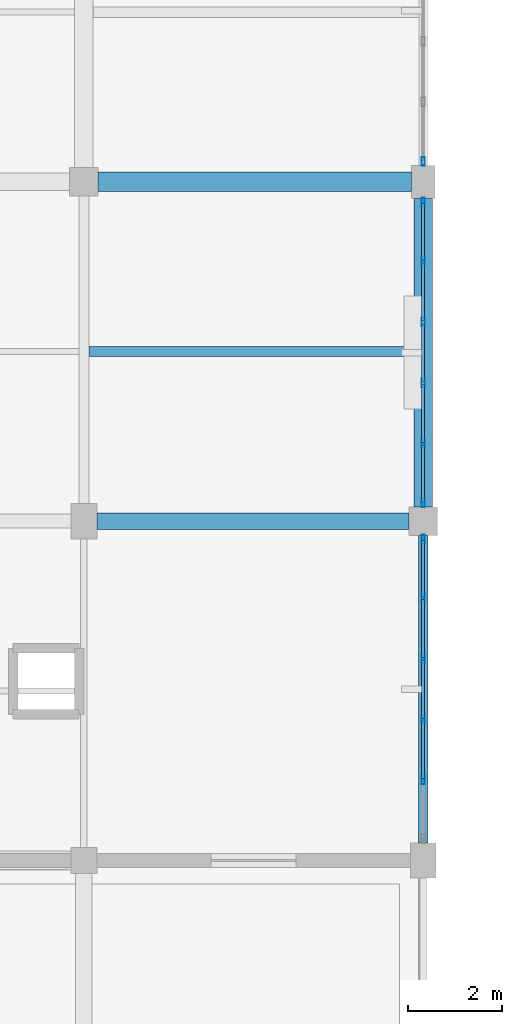
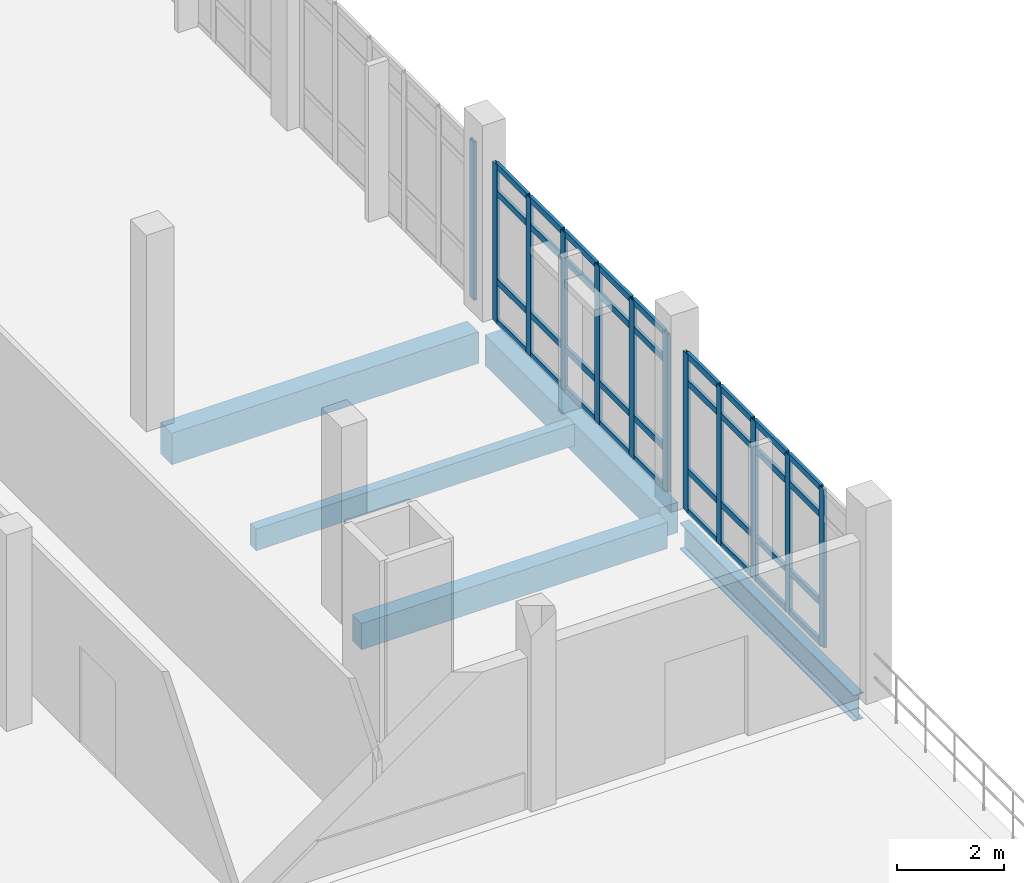
# One storey, part 8 of 57: 48 members, 5 beams, 3 elements without a shape of their own.
"""IFC4 building model written with IfcOpenShell, lengths in metres."""

from ifc_helpers import new_model, si_unit, direction, frame, origin, origin_2d, place, context, subcontext, project, spatial, rectangle, hollow_rectangle, i_section, extrude, material, material_profile, profile_set, type_object, element, aggregate, save


model = new_model("IFC4")

# Units and contexts
model_context = context("Model", 3, precision=1e-05, world=origin(), true_north=direction((0.0, 1.0)))
body_context = subcontext(model_context, "Body", "Model", "MODEL_VIEW")
ifc_project = project(units=[si_unit("LENGTHUNIT", "METRE"), si_unit("AREAUNIT", "SQUARE_METRE"), si_unit("VOLUMEUNIT", "CUBIC_METRE"), si_unit("PLANEANGLEUNIT", "RADIAN"), si_unit("MASSUNIT", "GRAM", prefix="KILO")], contexts=[model_context])

# Site, building, storey
site_placement = place(None, origin())
site = spatial("IfcSite", under=ifc_project, at=site_placement, CompositionType="ELEMENT")
building_placement = place(site_placement, origin())
building = spatial("IfcBuilding", under=site, at=building_placement, Name="Kalluvel Institute of Natural Sciences", CompositionType="ELEMENT")
storey_placement = place(building_placement, frame((0.0, 0.0, 23.39990234375)))
storey = spatial("IfcBuildingStorey", under=building, at=storey_placement, Name="L05", CompositionType="ELEMENT", Elevation=23.39990234375)

# Beams
ifc_material_1 = material(Name="Steel E350 Grade 350", Category="steel")
ifc_material_profile_1 = material_profile(ifc_material_1, i_section(OverallWidth=0.2099609375, OverallDepth=0.60009765625, WebThickness=0.011962890625, FlangeThickness=0.020751953125, FilletRadius=0.02001953125, at=origin_2d()), Name="ISMB 600")
ifc_profile_set_1 = profile_set([ifc_material_profile_1], Name="Steel E350 Grade 350")
beam_type_1 = type_object("IfcBeamType", Name="BM-ISMB600", PredefinedType="BEAM", material=ifc_profile_set_1)
beam_1_placement = place(storey_placement, frame((35.60009765625, 28.77490234375, -0.599853515625), z_axis=(0.0, 1.0, 0.0), x_axis=(-1.0, 0.0, 0.0)))
element("IfcBeam", 1, at=beam_1_placement, inside=storey, type_object=beam_type_1, Name="L05 girder GIR-L05-NS-X356-Y284", PredefinedType="BEAM", context=body_context, shape_type="SweptSolid", body=[
    extrude(i_section(OverallWidth=0.2099609375, OverallDepth=0.60009765625, WebThickness=0.011962890625, FlangeThickness=0.020751953125, FilletRadius=0.02001953125, at=origin_2d()), origin(), (0.0, 0.0, 1.0), 6.525146484375),
])
ifc_material_2 = material(Name="Concrete M40", Category="concrete")
ifc_material_profile_2 = material_profile(ifc_material_2, rectangle(XDim=0.39990234375, YDim=0.699951171875, at=origin_2d()), Name="RCB 400x700")
ifc_profile_set_2 = profile_set([ifc_material_profile_2], Name="Concrete M40")
beam_type_2 = type_object("IfcBeamType", Name="BM-RC400x700", PredefinedType="BEAM", material=ifc_profile_set_2)
beam_2_placement = place(storey_placement, frame((35.60009765625, 35.89990234375, -0.64990234375), z_axis=(0.0, 1.0, 0.0), x_axis=(-1.0, 0.0, 0.0)))
element("IfcBeam", 2, at=beam_2_placement, inside=storey, type_object=beam_type_2, Name="L05 girder GIR-L05-NS-X356-Y356", PredefinedType="BEAM", context=body_context, shape_type="SweptSolid", body=[
    extrude(rectangle(XDim=0.39990234375, YDim=0.699951171875, at=origin_2d()), origin(), (0.0, 0.0, 1.0), 6.550048828125),
])
ifc_material_profile_3 = material_profile(ifc_material_2, rectangle(XDim=0.419921875, YDim=0.719970703125, at=origin_2d()), Name="RCB 420x720")
ifc_profile_set_3 = profile_set([ifc_material_profile_3], Name="Concrete M40")
beam_type_3 = type_object("IfcBeamType", Name="BM-RC420x720", PredefinedType="BEAM", material=ifc_profile_set_3)
beam_3_placement = place(storey_placement, frame((28.699951171875, 42.800048828125, -0.659912109375), z_axis=(1.0, 0.0, 0.0), x_axis=(0.0, 1.0, 0.0)))
element("IfcBeam", 3, at=beam_3_placement, inside=storey, type_object=beam_type_3, Name="L05 girder GIR-L05-EW-X284-Y428", PredefinedType="BEAM", context=body_context, shape_type="SweptSolid", body=[
    extrude(rectangle(XDim=0.419921875, YDim=0.719970703125, at=origin_2d()), origin(), (0.0, 0.0, 1.0), 6.650146484375),
])

# Curtain wall, members
ifc_material_3 = material(Name="Aluminium AW-6063 T6", Category="aluminium")
curtain_wall_type = type_object("IfcCurtainWallType", Name="CW-DRY-45", PredefinedType="USERDEFINED", material=ifc_material_3)
curtain_wall_1_placement = place(storey_placement, origin())
curtain_wall_1 = element("IfcCurtainWall", 4, at=curtain_wall_1_placement, inside=storey, type_object=curtain_wall_type, Name="L05 Gothic lancet curtain wall CWA-L05-X356-Y288", ObjectType="UNITISED LANCET FACADE", PredefinedType="USERDEFINED")
ifc_material_profile_4 = material_profile(ifc_material_3, hollow_rectangle(XDim=0.06494140625, YDim=0.179931640625, WallThickness=0.00439453125, at=origin_2d()), Name="CWM 65x180")
ifc_profile_set_4 = profile_set([ifc_material_profile_4], Name="Aluminium AW-6063 T6")
member_type_1 = type_object("IfcMemberType", Name="CWM-65x180", PredefinedType="MULLION", material=ifc_profile_set_4)
member_1_placement = place(storey_placement, frame((35.60009765625, 30.110107421875, 0.0), z_axis=(0.0, 0.0, 1.0), x_axis=(-1.0, 0.0, 0.0)))
member_1 = element("IfcMember", 5, at=member_1_placement, type_object=member_type_1, Name="CW-03 mullion 2", PredefinedType="MULLION", context=body_context, shape_type="SweptSolid", body=[
    extrude(hollow_rectangle(XDim=0.06494140625, YDim=0.179931640625, WallThickness=0.00439453125, at=origin_2d()), origin(), (0.0, 0.0, 1.0), 3.6201171875),
])
member_2_placement = place(storey_placement, frame((35.60009765625, 31.39501953125, 0.0), z_axis=(0.0, 0.0, 1.0), x_axis=(-1.0, 0.0, 0.0)))
member_2 = element("IfcMember", 6, at=member_2_placement, type_object=member_type_1, Name="CW-03 mullion 3", PredefinedType="MULLION", context=body_context, shape_type="SweptSolid", body=[
    extrude(hollow_rectangle(XDim=0.06494140625, YDim=0.179931640625, WallThickness=0.00439453125, at=origin_2d()), origin(), (0.0, 0.0, 1.0), 3.6201171875),
])
member_3_placement = place(storey_placement, frame((35.60009765625, 32.679931640625, 0.0), z_axis=(0.0, 0.0, 1.0), x_axis=(-1.0, 0.0, 0.0)))
member_3 = element("IfcMember", 7, at=member_3_placement, type_object=member_type_1, Name="CW-03 mullion 4", PredefinedType="MULLION", context=body_context, shape_type="SweptSolid", body=[
    extrude(hollow_rectangle(XDim=0.06494140625, YDim=0.179931640625, WallThickness=0.00439453125, at=origin_2d()), origin(), (0.0, 0.0, 1.0), 3.6201171875),
])
member_4_placement = place(storey_placement, frame((35.60009765625, 33.965087890625, 0.0), z_axis=(0.0, 0.0, 1.0), x_axis=(-1.0, 0.0, 0.0)))
member_4 = element("IfcMember", 8, at=member_4_placement, type_object=member_type_1, Name="CW-03 mullion 5", PredefinedType="MULLION", context=body_context, shape_type="SweptSolid", body=[
    extrude(hollow_rectangle(XDim=0.06494140625, YDim=0.179931640625, WallThickness=0.00439453125, at=origin_2d()), origin(), (0.0, 0.0, 1.0), 3.6201171875),
])
member_5_placement = place(storey_placement, frame((35.60009765625, 35.217529296875, 0.0), z_axis=(0.0, 0.0, 1.0), x_axis=(-1.0, 0.0, 0.0)))
member_5 = element("IfcMember", 9, at=member_5_placement, type_object=member_type_1, Name="CW-03 mullion 6", PredefinedType="MULLION", context=body_context, shape_type="SweptSolid", body=[
    extrude(hollow_rectangle(XDim=0.06494140625, YDim=0.179931640625, WallThickness=0.00439453125, at=origin_2d()), origin(), (0.0, 0.0, 1.0), 3.6201171875),
])

curtain_wall_2_placement = place(storey_placement, origin())
curtain_wall_2 = element("IfcCurtainWall", 10, at=curtain_wall_2_placement, inside=storey, type_object=curtain_wall_type, Name="L05 Gothic lancet curtain wall CWA-L05-X356-Y360", ObjectType="UNITISED LANCET FACADE", PredefinedType="USERDEFINED")
member_6_placement = place(storey_placement, frame((35.60009765625, 35.982421875, 0.0), z_axis=(0.0, 0.0, 1.0), x_axis=(-1.0, 0.0, 0.0)))
member_6 = element("IfcMember", 11, at=member_6_placement, type_object=member_type_1, Name="CW-03 mullion 1", PredefinedType="MULLION", context=body_context, shape_type="SweptSolid", body=[
    extrude(hollow_rectangle(XDim=0.06494140625, YDim=0.179931640625, WallThickness=0.00439453125, at=origin_2d()), origin(), (0.0, 0.0, 1.0), 3.6201171875),
])
member_7_placement = place(storey_placement, frame((35.60009765625, 37.239990234375, 0.0), z_axis=(0.0, 0.0, 1.0), x_axis=(-1.0, 0.0, 0.0)))
member_7 = element("IfcMember", 12, at=member_7_placement, type_object=member_type_1, Name="CW-03 mullion 2", PredefinedType="MULLION", context=body_context, shape_type="SweptSolid", body=[
    extrude(hollow_rectangle(XDim=0.06494140625, YDim=0.179931640625, WallThickness=0.00439453125, at=origin_2d()), origin(), (0.0, 0.0, 1.0), 3.6201171875),
])
member_8_placement = place(storey_placement, frame((35.60009765625, 38.530029296875, 0.0), z_axis=(0.0, 0.0, 1.0), x_axis=(-1.0, 0.0, 0.0)))
member_8 = element("IfcMember", 13, at=member_8_placement, type_object=member_type_1, Name="CW-03 mullion 3", PredefinedType="MULLION", context=body_context, shape_type="SweptSolid", body=[
    extrude(hollow_rectangle(XDim=0.06494140625, YDim=0.179931640625, WallThickness=0.00439453125, at=origin_2d()), origin(), (0.0, 0.0, 1.0), 3.6201171875),
])
member_9_placement = place(storey_placement, frame((35.60009765625, 39.820068359375, 0.0), z_axis=(0.0, 0.0, 1.0), x_axis=(-1.0, 0.0, 0.0)))
member_9 = element("IfcMember", 14, at=member_9_placement, type_object=member_type_1, Name="CW-03 mullion 4", PredefinedType="MULLION", context=body_context, shape_type="SweptSolid", body=[
    extrude(hollow_rectangle(XDim=0.06494140625, YDim=0.179931640625, WallThickness=0.00439453125, at=origin_2d()), origin(), (0.0, 0.0, 1.0), 3.6201171875),
])
member_10_placement = place(storey_placement, frame((35.60009765625, 41.110107421875, 0.0), z_axis=(0.0, 0.0, 1.0), x_axis=(-1.0, 0.0, 0.0)))
member_10 = element("IfcMember", 15, at=member_10_placement, type_object=member_type_1, Name="CW-03 mullion 5", PredefinedType="MULLION", context=body_context, shape_type="SweptSolid", body=[
    extrude(hollow_rectangle(XDim=0.06494140625, YDim=0.179931640625, WallThickness=0.00439453125, at=origin_2d()), origin(), (0.0, 0.0, 1.0), 3.6201171875),
])
member_11_placement = place(storey_placement, frame((35.60009765625, 42.367431640625, 0.0), z_axis=(0.0, 0.0, 1.0), x_axis=(-1.0, 0.0, 0.0)))
member_11 = element("IfcMember", 16, at=member_11_placement, type_object=member_type_1, Name="CW-03 mullion 6", PredefinedType="MULLION", context=body_context, shape_type="SweptSolid", body=[
    extrude(hollow_rectangle(XDim=0.06494140625, YDim=0.179931640625, WallThickness=0.00439453125, at=origin_2d()), origin(), (0.0, 0.0, 1.0), 3.6201171875),
])

# Curtain wall, member
curtain_wall_3_placement = place(storey_placement, origin())
curtain_wall_3 = element("IfcCurtainWall", 17, at=curtain_wall_3_placement, inside=storey, type_object=curtain_wall_type, Name="L05 Gothic lancet curtain wall CWA-L05-X356-Y432", ObjectType="UNITISED LANCET FACADE", PredefinedType="USERDEFINED")
member_12_placement = place(storey_placement, frame((35.60009765625, 43.232421875, 0.0), z_axis=(0.0, 0.0, 1.0), x_axis=(-1.0, 0.0, 0.0)))
member_12 = element("IfcMember", 18, at=member_12_placement, type_object=member_type_1, Name="CW-03 mullion 1", PredefinedType="MULLION", context=body_context, shape_type="SweptSolid", body=[
    extrude(hollow_rectangle(XDim=0.06494140625, YDim=0.179931640625, WallThickness=0.00439453125, at=origin_2d()), origin(), (0.0, 0.0, 1.0), 3.6201171875),
])
aggregate(curtain_wall_3, [member_12])

# Member
ifc_material_profile_5 = material_profile(ifc_material_3, hollow_rectangle(XDim=0.06494140625, YDim=0.139892578125, WallThickness=0.00439453125, at=origin_2d()), Name="CWT 65x140")
ifc_profile_set_5 = profile_set([ifc_material_profile_5], Name="Aluminium AW-6063 T6")
member_type_2 = type_object("IfcMemberType", Name="CWT-65x140", PredefinedType="USERDEFINED", material=ifc_profile_set_5)
member_13_placement = place(storey_placement, frame((35.60009765625, 30.142578125, 0.03271484375), z_axis=(0.0, 1.0, 0.0), x_axis=(-1.0, 0.0, 0.0)))
member_13 = element("IfcMember", 19, at=member_13_placement, type_object=member_type_2, Name="CW-03 transom 2.1", ObjectType="TRANSOM", PredefinedType="USERDEFINED", context=body_context, shape_type="SweptSolid", body=[
    extrude(hollow_rectangle(XDim=0.06494140625, YDim=0.139892578125, WallThickness=0.00439453125, at=origin_2d()), origin(), (0.0, 0.0, 1.0), 1.219970703125),
])

member_14_placement = place(storey_placement, frame((35.60009765625, 30.142578125, 0.9501953125), z_axis=(0.0, 1.0, 0.0), x_axis=(-1.0, 0.0, 0.0)))
member_14 = element("IfcMember", 20, at=member_14_placement, type_object=member_type_2, Name="CW-03 transom 2.2", ObjectType="TRANSOM", PredefinedType="USERDEFINED", context=body_context, shape_type="SweptSolid", body=[
    extrude(hollow_rectangle(XDim=0.06494140625, YDim=0.139892578125, WallThickness=0.00439453125, at=origin_2d()), origin(), (0.0, 0.0, 1.0), 1.219970703125),
])

member_15_placement = place(storey_placement, frame((35.60009765625, 30.142578125, 2.97021484375), z_axis=(0.0, 1.0, 0.0), x_axis=(-1.0, 0.0, 0.0)))
member_15 = element("IfcMember", 21, at=member_15_placement, type_object=member_type_2, Name="CW-03 transom 2.3", ObjectType="TRANSOM", PredefinedType="USERDEFINED", context=body_context, shape_type="SweptSolid", body=[
    extrude(hollow_rectangle(XDim=0.06494140625, YDim=0.139892578125, WallThickness=0.00439453125, at=origin_2d()), origin(), (0.0, 0.0, 1.0), 1.219970703125),
])

member_16_placement = place(storey_placement, frame((35.60009765625, 30.142578125, 3.587646484375), z_axis=(0.0, 1.0, 0.0), x_axis=(-1.0, 0.0, 0.0)))
member_16 = element("IfcMember", 22, at=member_16_placement, type_object=member_type_2, Name="CW-03 transom 2.4", ObjectType="TRANSOM", PredefinedType="USERDEFINED", context=body_context, shape_type="SweptSolid", body=[
    extrude(hollow_rectangle(XDim=0.06494140625, YDim=0.139892578125, WallThickness=0.00439453125, at=origin_2d()), origin(), (0.0, 0.0, 1.0), 1.219970703125),
])

member_17_placement = place(storey_placement, frame((35.60009765625, 31.427490234375, 0.03271484375), z_axis=(0.0, 1.0, 0.0), x_axis=(-1.0, 0.0, 0.0)))
member_17 = element("IfcMember", 23, at=member_17_placement, type_object=member_type_2, Name="CW-03 transom 3.1", ObjectType="TRANSOM", PredefinedType="USERDEFINED", context=body_context, shape_type="SweptSolid", body=[
    extrude(hollow_rectangle(XDim=0.06494140625, YDim=0.139892578125, WallThickness=0.00439453125, at=origin_2d()), origin(), (0.0, 0.0, 1.0), 1.219970703125),
])

member_18_placement = place(storey_placement, frame((35.60009765625, 31.427490234375, 0.9501953125), z_axis=(0.0, 1.0, 0.0), x_axis=(-1.0, 0.0, 0.0)))
member_18 = element("IfcMember", 24, at=member_18_placement, type_object=member_type_2, Name="CW-03 transom 3.2", ObjectType="TRANSOM", PredefinedType="USERDEFINED", context=body_context, shape_type="SweptSolid", body=[
    extrude(hollow_rectangle(XDim=0.06494140625, YDim=0.139892578125, WallThickness=0.00439453125, at=origin_2d()), origin(), (0.0, 0.0, 1.0), 1.219970703125),
])

member_19_placement = place(storey_placement, frame((35.60009765625, 31.427490234375, 2.97021484375), z_axis=(0.0, 1.0, 0.0), x_axis=(-1.0, 0.0, 0.0)))
member_19 = element("IfcMember", 25, at=member_19_placement, type_object=member_type_2, Name="CW-03 transom 3.3", ObjectType="TRANSOM", PredefinedType="USERDEFINED", context=body_context, shape_type="SweptSolid", body=[
    extrude(hollow_rectangle(XDim=0.06494140625, YDim=0.139892578125, WallThickness=0.00439453125, at=origin_2d()), origin(), (0.0, 0.0, 1.0), 1.219970703125),
])

member_20_placement = place(storey_placement, frame((35.60009765625, 31.427490234375, 3.587646484375), z_axis=(0.0, 1.0, 0.0), x_axis=(-1.0, 0.0, 0.0)))
member_20 = element("IfcMember", 26, at=member_20_placement, type_object=member_type_2, Name="CW-03 transom 3.4", ObjectType="TRANSOM", PredefinedType="USERDEFINED", context=body_context, shape_type="SweptSolid", body=[
    extrude(hollow_rectangle(XDim=0.06494140625, YDim=0.139892578125, WallThickness=0.00439453125, at=origin_2d()), origin(), (0.0, 0.0, 1.0), 1.219970703125),
])

member_21_placement = place(storey_placement, frame((35.60009765625, 32.71240234375, 0.03271484375), z_axis=(0.0, 1.0, 0.0), x_axis=(-1.0, 0.0, 0.0)))
member_21 = element("IfcMember", 27, at=member_21_placement, type_object=member_type_2, Name="CW-03 transom 4.1", ObjectType="TRANSOM", PredefinedType="USERDEFINED", context=body_context, shape_type="SweptSolid", body=[
    extrude(hollow_rectangle(XDim=0.06494140625, YDim=0.139892578125, WallThickness=0.00439453125, at=origin_2d()), origin(), (0.0, 0.0, 1.0), 1.22021484375),
])

member_22_placement = place(storey_placement, frame((35.60009765625, 32.71240234375, 0.9501953125), z_axis=(0.0, 1.0, 0.0), x_axis=(-1.0, 0.0, 0.0)))
member_22 = element("IfcMember", 28, at=member_22_placement, type_object=member_type_2, Name="CW-03 transom 4.2", ObjectType="TRANSOM", PredefinedType="USERDEFINED", context=body_context, shape_type="SweptSolid", body=[
    extrude(hollow_rectangle(XDim=0.06494140625, YDim=0.139892578125, WallThickness=0.00439453125, at=origin_2d()), origin(), (0.0, 0.0, 1.0), 1.22021484375),
])

member_23_placement = place(storey_placement, frame((35.60009765625, 32.71240234375, 2.97021484375), z_axis=(0.0, 1.0, 0.0), x_axis=(-1.0, 0.0, 0.0)))
member_23 = element("IfcMember", 29, at=member_23_placement, type_object=member_type_2, Name="CW-03 transom 4.3", ObjectType="TRANSOM", PredefinedType="USERDEFINED", context=body_context, shape_type="SweptSolid", body=[
    extrude(hollow_rectangle(XDim=0.06494140625, YDim=0.139892578125, WallThickness=0.00439453125, at=origin_2d()), origin(), (0.0, 0.0, 1.0), 1.22021484375),
])

member_24_placement = place(storey_placement, frame((35.60009765625, 32.71240234375, 3.587646484375), z_axis=(0.0, 1.0, 0.0), x_axis=(-1.0, 0.0, 0.0)))
member_24 = element("IfcMember", 30, at=member_24_placement, type_object=member_type_2, Name="CW-03 transom 4.4", ObjectType="TRANSOM", PredefinedType="USERDEFINED", context=body_context, shape_type="SweptSolid", body=[
    extrude(hollow_rectangle(XDim=0.06494140625, YDim=0.139892578125, WallThickness=0.00439453125, at=origin_2d()), origin(), (0.0, 0.0, 1.0), 1.22021484375),
])

member_25_placement = place(storey_placement, frame((35.60009765625, 33.99755859375, 0.03271484375), z_axis=(0.0, 1.0, 0.0), x_axis=(-1.0, 0.0, 0.0)))
member_25 = element("IfcMember", 31, at=member_25_placement, type_object=member_type_2, Name="CW-03 transom 5.1", ObjectType="TRANSOM", PredefinedType="USERDEFINED", context=body_context, shape_type="SweptSolid", body=[
    extrude(hollow_rectangle(XDim=0.06494140625, YDim=0.139892578125, WallThickness=0.00439453125, at=origin_2d()), origin(), (0.0, 0.0, 1.0), 1.1875),
])

member_26_placement = place(storey_placement, frame((35.60009765625, 33.99755859375, 0.9501953125), z_axis=(0.0, 1.0, 0.0), x_axis=(-1.0, 0.0, 0.0)))
member_26 = element("IfcMember", 32, at=member_26_placement, type_object=member_type_2, Name="CW-03 transom 5.2", ObjectType="TRANSOM", PredefinedType="USERDEFINED", context=body_context, shape_type="SweptSolid", body=[
    extrude(hollow_rectangle(XDim=0.06494140625, YDim=0.139892578125, WallThickness=0.00439453125, at=origin_2d()), origin(), (0.0, 0.0, 1.0), 1.1875),
])

member_27_placement = place(storey_placement, frame((35.60009765625, 33.99755859375, 2.97021484375), z_axis=(0.0, 1.0, 0.0), x_axis=(-1.0, 0.0, 0.0)))
member_27 = element("IfcMember", 33, at=member_27_placement, type_object=member_type_2, Name="CW-03 transom 5.3", ObjectType="TRANSOM", PredefinedType="USERDEFINED", context=body_context, shape_type="SweptSolid", body=[
    extrude(hollow_rectangle(XDim=0.06494140625, YDim=0.139892578125, WallThickness=0.00439453125, at=origin_2d()), origin(), (0.0, 0.0, 1.0), 1.1875),
])

member_28_placement = place(storey_placement, frame((35.60009765625, 33.99755859375, 3.587646484375), z_axis=(0.0, 1.0, 0.0), x_axis=(-1.0, 0.0, 0.0)))
member_28 = element("IfcMember", 34, at=member_28_placement, type_object=member_type_2, Name="CW-03 transom 5.4", ObjectType="TRANSOM", PredefinedType="USERDEFINED", context=body_context, shape_type="SweptSolid", body=[
    extrude(hollow_rectangle(XDim=0.06494140625, YDim=0.139892578125, WallThickness=0.00439453125, at=origin_2d()), origin(), (0.0, 0.0, 1.0), 1.1875),
])

aggregate(curtain_wall_1, [member_1, member_2, member_3, member_4, member_5, member_13, member_14, member_15, member_16, member_17, member_18, member_19, member_20, member_21, member_22, member_23, member_24, member_25, member_26, member_27, member_28])

member_29_placement = place(storey_placement, frame((35.60009765625, 36.014892578125, 0.03271484375), z_axis=(0.0, 1.0, 0.0), x_axis=(-1.0, 0.0, 0.0)))
member_29 = element("IfcMember", 35, at=member_29_placement, type_object=member_type_2, Name="CW-03 transom 1.1", ObjectType="TRANSOM", PredefinedType="USERDEFINED", context=body_context, shape_type="SweptSolid", body=[
    extrude(hollow_rectangle(XDim=0.06494140625, YDim=0.139892578125, WallThickness=0.00439453125, at=origin_2d()), origin(), (0.0, 0.0, 1.0), 1.192626953125),
])

member_30_placement = place(storey_placement, frame((35.60009765625, 36.014892578125, 0.9501953125), z_axis=(0.0, 1.0, 0.0), x_axis=(-1.0, 0.0, 0.0)))
member_30 = element("IfcMember", 36, at=member_30_placement, type_object=member_type_2, Name="CW-03 transom 1.2", ObjectType="TRANSOM", PredefinedType="USERDEFINED", context=body_context, shape_type="SweptSolid", body=[
    extrude(hollow_rectangle(XDim=0.06494140625, YDim=0.139892578125, WallThickness=0.00439453125, at=origin_2d()), origin(), (0.0, 0.0, 1.0), 1.192626953125),
])

member_31_placement = place(storey_placement, frame((35.60009765625, 36.014892578125, 2.97021484375), z_axis=(0.0, 1.0, 0.0), x_axis=(-1.0, 0.0, 0.0)))
member_31 = element("IfcMember", 37, at=member_31_placement, type_object=member_type_2, Name="CW-03 transom 1.3", ObjectType="TRANSOM", PredefinedType="USERDEFINED", context=body_context, shape_type="SweptSolid", body=[
    extrude(hollow_rectangle(XDim=0.06494140625, YDim=0.139892578125, WallThickness=0.00439453125, at=origin_2d()), origin(), (0.0, 0.0, 1.0), 1.192626953125),
])

member_32_placement = place(storey_placement, frame((35.60009765625, 36.014892578125, 3.587646484375), z_axis=(0.0, 1.0, 0.0), x_axis=(-1.0, 0.0, 0.0)))
member_32 = element("IfcMember", 38, at=member_32_placement, type_object=member_type_2, Name="CW-03 transom 1.4", ObjectType="TRANSOM", PredefinedType="USERDEFINED", context=body_context, shape_type="SweptSolid", body=[
    extrude(hollow_rectangle(XDim=0.06494140625, YDim=0.139892578125, WallThickness=0.00439453125, at=origin_2d()), origin(), (0.0, 0.0, 1.0), 1.192626953125),
])

member_33_placement = place(storey_placement, frame((35.60009765625, 37.2724609375, 0.03271484375), z_axis=(0.0, 1.0, 0.0), x_axis=(-1.0, 0.0, 0.0)))
member_33 = element("IfcMember", 39, at=member_33_placement, type_object=member_type_2, Name="CW-03 transom 2.1", ObjectType="TRANSOM", PredefinedType="USERDEFINED", context=body_context, shape_type="SweptSolid", body=[
    extrude(hollow_rectangle(XDim=0.06494140625, YDim=0.139892578125, WallThickness=0.00439453125, at=origin_2d()), origin(), (0.0, 0.0, 1.0), 1.22509765625),
])

member_34_placement = place(storey_placement, frame((35.60009765625, 37.2724609375, 0.9501953125), z_axis=(0.0, 1.0, 0.0), x_axis=(-1.0, 0.0, 0.0)))
member_34 = element("IfcMember", 40, at=member_34_placement, type_object=member_type_2, Name="CW-03 transom 2.2", ObjectType="TRANSOM", PredefinedType="USERDEFINED", context=body_context, shape_type="SweptSolid", body=[
    extrude(hollow_rectangle(XDim=0.06494140625, YDim=0.139892578125, WallThickness=0.00439453125, at=origin_2d()), origin(), (0.0, 0.0, 1.0), 1.22509765625),
])

member_35_placement = place(storey_placement, frame((35.60009765625, 37.2724609375, 2.97021484375), z_axis=(0.0, 1.0, 0.0), x_axis=(-1.0, 0.0, 0.0)))
member_35 = element("IfcMember", 41, at=member_35_placement, type_object=member_type_2, Name="CW-03 transom 2.3", ObjectType="TRANSOM", PredefinedType="USERDEFINED", context=body_context, shape_type="SweptSolid", body=[
    extrude(hollow_rectangle(XDim=0.06494140625, YDim=0.139892578125, WallThickness=0.00439453125, at=origin_2d()), origin(), (0.0, 0.0, 1.0), 1.22509765625),
])

member_36_placement = place(storey_placement, frame((35.60009765625, 37.2724609375, 3.587646484375), z_axis=(0.0, 1.0, 0.0), x_axis=(-1.0, 0.0, 0.0)))
member_36 = element("IfcMember", 42, at=member_36_placement, type_object=member_type_2, Name="CW-03 transom 2.4", ObjectType="TRANSOM", PredefinedType="USERDEFINED", context=body_context, shape_type="SweptSolid", body=[
    extrude(hollow_rectangle(XDim=0.06494140625, YDim=0.139892578125, WallThickness=0.00439453125, at=origin_2d()), origin(), (0.0, 0.0, 1.0), 1.22509765625),
])

member_37_placement = place(storey_placement, frame((35.60009765625, 38.5625, 0.03271484375), z_axis=(0.0, 1.0, 0.0), x_axis=(-1.0, 0.0, 0.0)))
member_37 = element("IfcMember", 43, at=member_37_placement, type_object=member_type_2, Name="CW-03 transom 3.1", ObjectType="TRANSOM", PredefinedType="USERDEFINED", context=body_context, shape_type="SweptSolid", body=[
    extrude(hollow_rectangle(XDim=0.06494140625, YDim=0.139892578125, WallThickness=0.00439453125, at=origin_2d()), origin(), (0.0, 0.0, 1.0), 1.22509765625),
])

member_38_placement = place(storey_placement, frame((35.60009765625, 38.5625, 0.9501953125), z_axis=(0.0, 1.0, 0.0), x_axis=(-1.0, 0.0, 0.0)))
member_38 = element("IfcMember", 44, at=member_38_placement, type_object=member_type_2, Name="CW-03 transom 3.2", ObjectType="TRANSOM", PredefinedType="USERDEFINED", context=body_context, shape_type="SweptSolid", body=[
    extrude(hollow_rectangle(XDim=0.06494140625, YDim=0.139892578125, WallThickness=0.00439453125, at=origin_2d()), origin(), (0.0, 0.0, 1.0), 1.22509765625),
])

member_39_placement = place(storey_placement, frame((35.60009765625, 38.5625, 2.97021484375), z_axis=(0.0, 1.0, 0.0), x_axis=(-1.0, 0.0, 0.0)))
member_39 = element("IfcMember", 45, at=member_39_placement, type_object=member_type_2, Name="CW-03 transom 3.3", ObjectType="TRANSOM", PredefinedType="USERDEFINED", context=body_context, shape_type="SweptSolid", body=[
    extrude(hollow_rectangle(XDim=0.06494140625, YDim=0.139892578125, WallThickness=0.00439453125, at=origin_2d()), origin(), (0.0, 0.0, 1.0), 1.22509765625),
])

member_40_placement = place(storey_placement, frame((35.60009765625, 38.5625, 3.587646484375), z_axis=(0.0, 1.0, 0.0), x_axis=(-1.0, 0.0, 0.0)))
member_40 = element("IfcMember", 46, at=member_40_placement, type_object=member_type_2, Name="CW-03 transom 3.4", ObjectType="TRANSOM", PredefinedType="USERDEFINED", context=body_context, shape_type="SweptSolid", body=[
    extrude(hollow_rectangle(XDim=0.06494140625, YDim=0.139892578125, WallThickness=0.00439453125, at=origin_2d()), origin(), (0.0, 0.0, 1.0), 1.22509765625),
])

member_41_placement = place(storey_placement, frame((35.60009765625, 39.8525390625, 0.03271484375), z_axis=(0.0, 1.0, 0.0), x_axis=(-1.0, 0.0, 0.0)))
member_41 = element("IfcMember", 47, at=member_41_placement, type_object=member_type_2, Name="CW-03 transom 4.1", ObjectType="TRANSOM", PredefinedType="USERDEFINED", context=body_context, shape_type="SweptSolid", body=[
    extrude(hollow_rectangle(XDim=0.06494140625, YDim=0.139892578125, WallThickness=0.00439453125, at=origin_2d()), origin(), (0.0, 0.0, 1.0), 1.224853515625),
])

member_42_placement = place(storey_placement, frame((35.60009765625, 39.8525390625, 0.9501953125), z_axis=(0.0, 1.0, 0.0), x_axis=(-1.0, 0.0, 0.0)))
member_42 = element("IfcMember", 48, at=member_42_placement, type_object=member_type_2, Name="CW-03 transom 4.2", ObjectType="TRANSOM", PredefinedType="USERDEFINED", context=body_context, shape_type="SweptSolid", body=[
    extrude(hollow_rectangle(XDim=0.06494140625, YDim=0.139892578125, WallThickness=0.00439453125, at=origin_2d()), origin(), (0.0, 0.0, 1.0), 1.224853515625),
])

member_43_placement = place(storey_placement, frame((35.60009765625, 39.8525390625, 2.97021484375), z_axis=(0.0, 1.0, 0.0), x_axis=(-1.0, 0.0, 0.0)))
member_43 = element("IfcMember", 49, at=member_43_placement, type_object=member_type_2, Name="CW-03 transom 4.3", ObjectType="TRANSOM", PredefinedType="USERDEFINED", context=body_context, shape_type="SweptSolid", body=[
    extrude(hollow_rectangle(XDim=0.06494140625, YDim=0.139892578125, WallThickness=0.00439453125, at=origin_2d()), origin(), (0.0, 0.0, 1.0), 1.224853515625),
])

member_44_placement = place(storey_placement, frame((35.60009765625, 39.8525390625, 3.587646484375), z_axis=(0.0, 1.0, 0.0), x_axis=(-1.0, 0.0, 0.0)))
member_44 = element("IfcMember", 50, at=member_44_placement, type_object=member_type_2, Name="CW-03 transom 4.4", ObjectType="TRANSOM", PredefinedType="USERDEFINED", context=body_context, shape_type="SweptSolid", body=[
    extrude(hollow_rectangle(XDim=0.06494140625, YDim=0.139892578125, WallThickness=0.00439453125, at=origin_2d()), origin(), (0.0, 0.0, 1.0), 1.224853515625),
])

member_45_placement = place(storey_placement, frame((35.60009765625, 41.142578125, 0.03271484375), z_axis=(0.0, 1.0, 0.0), x_axis=(-1.0, 0.0, 0.0)))
member_45 = element("IfcMember", 51, at=member_45_placement, type_object=member_type_2, Name="CW-03 transom 5.1", ObjectType="TRANSOM", PredefinedType="USERDEFINED", context=body_context, shape_type="SweptSolid", body=[
    extrude(hollow_rectangle(XDim=0.06494140625, YDim=0.139892578125, WallThickness=0.00439453125, at=origin_2d()), origin(), (0.0, 0.0, 1.0), 1.1923828125),
])

member_46_placement = place(storey_placement, frame((35.60009765625, 41.142578125, 0.9501953125), z_axis=(0.0, 1.0, 0.0), x_axis=(-1.0, 0.0, 0.0)))
member_46 = element("IfcMember", 52, at=member_46_placement, type_object=member_type_2, Name="CW-03 transom 5.2", ObjectType="TRANSOM", PredefinedType="USERDEFINED", context=body_context, shape_type="SweptSolid", body=[
    extrude(hollow_rectangle(XDim=0.06494140625, YDim=0.139892578125, WallThickness=0.00439453125, at=origin_2d()), origin(), (0.0, 0.0, 1.0), 1.1923828125),
])

member_47_placement = place(storey_placement, frame((35.60009765625, 41.142578125, 2.97021484375), z_axis=(0.0, 1.0, 0.0), x_axis=(-1.0, 0.0, 0.0)))
member_47 = element("IfcMember", 53, at=member_47_placement, type_object=member_type_2, Name="CW-03 transom 5.3", ObjectType="TRANSOM", PredefinedType="USERDEFINED", context=body_context, shape_type="SweptSolid", body=[
    extrude(hollow_rectangle(XDim=0.06494140625, YDim=0.139892578125, WallThickness=0.00439453125, at=origin_2d()), origin(), (0.0, 0.0, 1.0), 1.1923828125),
])

member_48_placement = place(storey_placement, frame((35.60009765625, 41.142578125, 3.587646484375), z_axis=(0.0, 1.0, 0.0), x_axis=(-1.0, 0.0, 0.0)))
member_48 = element("IfcMember", 54, at=member_48_placement, type_object=member_type_2, Name="CW-03 transom 5.4", ObjectType="TRANSOM", PredefinedType="USERDEFINED", context=body_context, shape_type="SweptSolid", body=[
    extrude(hollow_rectangle(XDim=0.06494140625, YDim=0.139892578125, WallThickness=0.00439453125, at=origin_2d()), origin(), (0.0, 0.0, 1.0), 1.1923828125),
])

aggregate(curtain_wall_2, [member_6, member_7, member_8, member_9, member_10, member_11, member_29, member_30, member_31, member_32, member_33, member_34, member_35, member_36, member_37, member_38, member_39, member_40, member_41, member_42, member_43, member_44, member_45, member_46, member_47, member_48])

# Beams
ifc_material_profile_6 = material_profile(ifc_material_2, rectangle(XDim=0.35009765625, YDim=0.60009765625, at=origin_2d()), Name="RCB 350x600")
ifc_profile_set_6 = profile_set([ifc_material_profile_6], Name="Concrete M40")
beam_type_4 = type_object("IfcBeamType", Name="SP-RC350x600", PredefinedType="SPANDREL", material=ifc_profile_set_6)
beam_4_placement = place(storey_placement, frame((28.675048828125, 35.60009765625, -0.599853515625), z_axis=(1.0, 0.0, 0.0), x_axis=(0.0, 1.0, 0.0)))
element("IfcBeam", 55, at=beam_4_placement, inside=storey, type_object=beam_type_4, Name="L05 girder GIR-L05-EW-X284-Y356", PredefinedType="SPANDREL", context=body_context, shape_type="SweptSolid", body=[
    extrude(rectangle(XDim=0.35009765625, YDim=0.60009765625, at=origin_2d()), origin(), (0.0, 0.0, 1.0), 6.625),
])
ifc_material_profile_7 = material_profile(ifc_material_2, rectangle(XDim=0.219970703125, YDim=0.5, at=origin_2d()), Name="WAF 220x500")
ifc_profile_set_7 = profile_set([ifc_material_profile_7], Name="Concrete M40")
beam_type_5 = type_object("IfcBeamType", Name="WJ-220x500", PredefinedType="JOIST", material=ifc_profile_set_7)
beam_5_placement = place(storey_placement, frame((28.5048828125, 39.199951171875, -0.5498046875), z_axis=(1.0, 0.0, 0.0), x_axis=(0.0, 1.0, 0.0)))
element("IfcBeam", 56, at=beam_5_placement, inside=storey, type_object=beam_type_5, Name="L05 floor rib RIB-L05-0738", PredefinedType="JOIST", context=body_context, shape_type="SweptSolid", body=[
    extrude(rectangle(XDim=0.219970703125, YDim=0.5, at=origin_2d()), origin(), (0.0, 0.0, 1.0), 6.89501953125),
])

save(model, "model.ifc")
